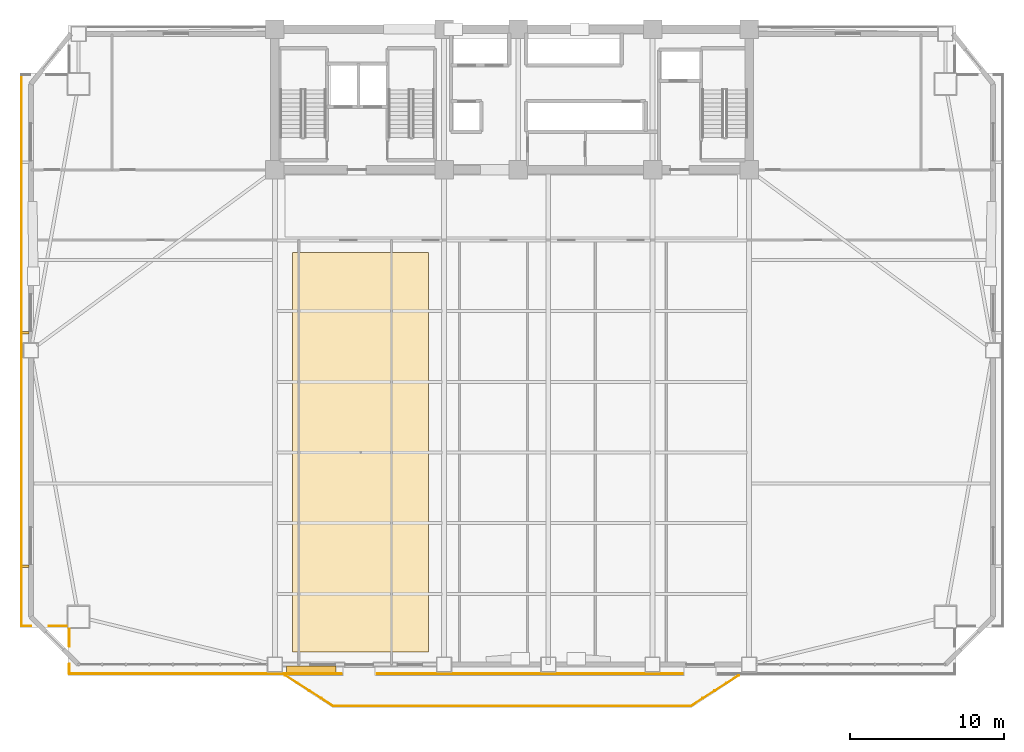
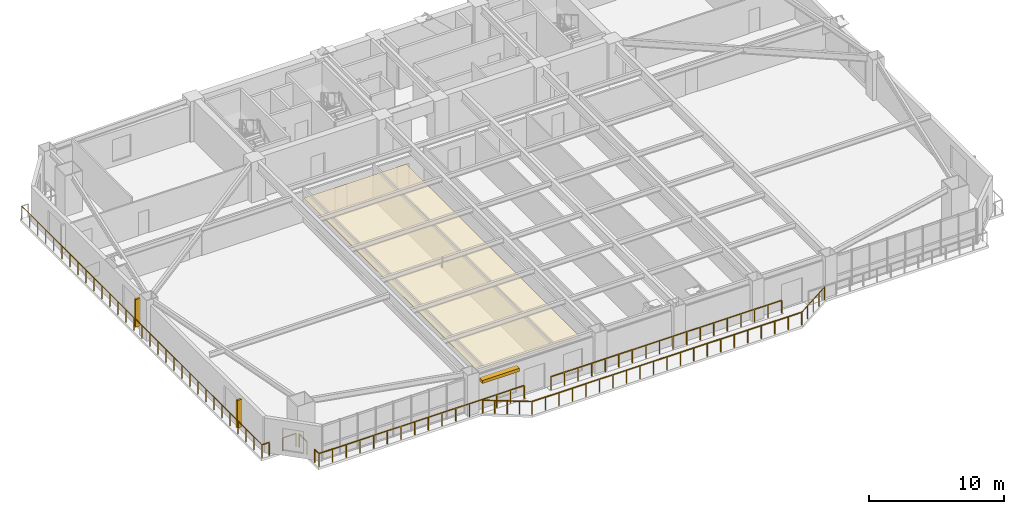
# One storey, part 12 of 16: 10 railings, 3 shading devices, 1 covering.
"""IFC4 building model written with IfcOpenShell, lengths in metres."""

from ifc_helpers import new_model, si_unit, direction, frame, origin, origin_2d, place, context, subcontext, project, spatial, polyline, rectangle, outline, extrude, source, transform, mapped, material, layer, layer_set, type_object, element, save


model = new_model("IFC4")

# Units and contexts
model_context = context("Model", 3, precision=1e-05, world=origin(), true_north=direction((0.0, 1.0)))
body_context = subcontext(model_context, "Body", "Model", "MODEL_VIEW")
ifc_project = project(units=[si_unit("LENGTHUNIT", "METRE"), si_unit("AREAUNIT", "SQUARE_METRE"), si_unit("VOLUMEUNIT", "CUBIC_METRE"), si_unit("PLANEANGLEUNIT", "RADIAN"), si_unit("MASSUNIT", "GRAM", prefix="KILO")], contexts=[model_context])

# Site, building, storey
site_placement = place(None, origin())
site = spatial("IfcSite", under=ifc_project, at=site_placement, CompositionType="ELEMENT")
building_placement = place(site_placement, origin())
building = spatial("IfcBuilding", under=site, at=building_placement, Name="Giltprow Tower", CompositionType="ELEMENT")
storey_placement = place(building_placement, frame((0.0, 0.0, 79.60009765625)))
storey = spatial("IfcBuildingStorey", under=building, at=storey_placement, Name="L19", CompositionType="ELEMENT", Elevation=79.60009765625)

# Covering
ifc_material_1 = material(Name="Acoustic mineral fibre", Category="gypsum")
ifc_layer = layer(ifc_material_1, 0.030029296875, Name="Acoustic mineral fibre")
ifc_layer_set = layer_set([ifc_layer], Name="Acoustic mineral fibre")
covering_type = type_object("IfcCoveringType", Name="COV-CLG-ACOUSTIC", PredefinedType="CEILING", material=ifc_layer_set)
covering_placement = place(storey_placement, frame((0.0, 0.0, 2.719970703125)))
element("IfcCovering", 1, at=covering_placement, inside=storey, type_object=covering_type, Name="L19 Office Acoustic Ceiling", PredefinedType="CEILING", context=body_context, shape_type="SweptSolid", body=[
    extrude(outline(polyline([(21.0, 6.208984375), (29.800048828125, 6.208984375), (29.800048828125, 32.10009765625), (21.0, 32.10009765625), (21.0, 6.208984375)])), origin(), (0.0, 0.0, 1.0), 0.030029296875),
])

# Railings
ifc_material_2 = material(Name="Anodized bronze", Category="metal")
railing_type = type_object("IfcRailingType", Name="RAIL-BALC-GUARD-1200", PredefinedType="BALUSTRADE", material=ifc_material_2)
railing_1_placement = place(storey_placement, frame((20.52001953125, 4.708984375, 0.0)))
element("IfcRailing", 2, at=railing_1_placement, inside=storey, type_object=railing_type, Name="L19 Waterfront Balcony Balustrade Seg 1", PredefinedType="BALUSTRADE", context=body_context, shape_type="SweptSolid", body=[
    extrude(rectangle(XDim=0.048095703125, YDim=0.048095703125, at=origin_2d()), frame((0.0, 0.0, 1.17578125), z_axis=(0.84277487735, -0.538266203757, 0.0), x_axis=(0.538266203757, 0.84277487735, 0.0)), (0.0, 0.0, 1.0), 3.678466796875),
    extrude(rectangle(XDim=0.0419921875, YDim=0.0419921875, at=origin_2d()), origin(), (0.0, 0.0, 1.0), 1.15185546875),
    extrude(rectangle(XDim=0.0419921875, YDim=0.0419921875, at=origin_2d()), frame((0.77490234375, -0.4951171875, 0.0)), (0.0, 0.0, 1.0), 1.15185546875),
    extrude(rectangle(XDim=0.0419921875, YDim=0.0419921875, at=origin_2d()), frame((1.550048828125, -0.989990234375, 0.0)), (0.0, 0.0, 1.0), 1.15185546875),
    extrude(rectangle(XDim=0.0419921875, YDim=0.0419921875, at=origin_2d()), frame((2.3251953125, -1.48486328125, 0.0)), (0.0, 0.0, 1.0), 1.15185546875),
    extrude(rectangle(XDim=0.0419921875, YDim=0.0419921875, at=origin_2d()), frame((3.10009765625, -1.97998046875, 0.0)), (0.0, 0.0, 1.0), 1.15185546875),
])
railing_2_placement = place(storey_placement, frame((23.6201171875, 2.72900390625, 0.0)))
element("IfcRailing", 3, at=railing_2_placement, inside=storey, type_object=railing_type, Name="L19 Waterfront Balcony Balustrade Seg 2", PredefinedType="BALUSTRADE", context=body_context, shape_type="SweptSolid", body=[
    extrude(rectangle(XDim=0.048095703125, YDim=0.048095703125, at=origin_2d()), frame((0.0, 0.0, 1.17578125), z_axis=(1.0, 0.0, 0.0), x_axis=(0.0, 1.0, 0.0)), (0.0, 0.0, 1.0), 23.159912109375),
    extrude(rectangle(XDim=0.0419921875, YDim=0.0419921875, at=origin_2d()), origin(), (0.0, 0.0, 1.0), 1.15185546875),
    extrude(rectangle(XDim=0.0419921875, YDim=0.0419921875, at=origin_2d()), frame((1.157958984375, 0.0, 0.0)), (0.0, 0.0, 1.0), 1.15185546875),
    extrude(rectangle(XDim=0.0419921875, YDim=0.0419921875, at=origin_2d()), frame((2.31591796875, 0.0, 0.0)), (0.0, 0.0, 1.0), 1.15185546875),
    extrude(rectangle(XDim=0.0419921875, YDim=0.0419921875, at=origin_2d()), frame((3.473876953125, 0.0, 0.0)), (0.0, 0.0, 1.0), 1.15185546875),
    extrude(rectangle(XDim=0.0419921875, YDim=0.0419921875, at=origin_2d()), frame((4.632080078125, 0.0, 0.0)), (0.0, 0.0, 1.0), 1.15185546875),
    extrude(rectangle(XDim=0.0419921875, YDim=0.0419921875, at=origin_2d()), frame((5.7900390625, 0.0, 0.0)), (0.0, 0.0, 1.0), 1.15185546875),
    extrude(rectangle(XDim=0.0419921875, YDim=0.0419921875, at=origin_2d()), frame((6.947998046875, 0.0, 0.0)), (0.0, 0.0, 1.0), 1.15185546875),
    extrude(rectangle(XDim=0.0419921875, YDim=0.0419921875, at=origin_2d()), frame((8.10595703125, 0.0, 0.0)), (0.0, 0.0, 1.0), 1.15185546875),
    extrude(rectangle(XDim=0.0419921875, YDim=0.0419921875, at=origin_2d()), frame((9.263916015625, 0.0, 0.0)), (0.0, 0.0, 1.0), 1.15185546875),
    extrude(rectangle(XDim=0.0419921875, YDim=0.0419921875, at=origin_2d()), frame((10.421875, 0.0, 0.0)), (0.0, 0.0, 1.0), 1.15185546875),
    extrude(rectangle(XDim=0.0419921875, YDim=0.0419921875, at=origin_2d()), frame((11.580078125, 0.0, 0.0)), (0.0, 0.0, 1.0), 1.15185546875),
    extrude(rectangle(XDim=0.0419921875, YDim=0.0419921875, at=origin_2d()), frame((12.738037109375, 0.0, 0.0)), (0.0, 0.0, 1.0), 1.15185546875),
    extrude(rectangle(XDim=0.0419921875, YDim=0.0419921875, at=origin_2d()), frame((13.89599609375, 0.0, 0.0)), (0.0, 0.0, 1.0), 1.15185546875),
    extrude(rectangle(XDim=0.0419921875, YDim=0.0419921875, at=origin_2d()), frame((15.053955078125, 0.0, 0.0)), (0.0, 0.0, 1.0), 1.15185546875),
    extrude(rectangle(XDim=0.0419921875, YDim=0.0419921875, at=origin_2d()), frame((16.2119140625, 0.0, 0.0)), (0.0, 0.0, 1.0), 1.15185546875),
    extrude(rectangle(XDim=0.0419921875, YDim=0.0419921875, at=origin_2d()), frame((17.369873046875, 0.0, 0.0)), (0.0, 0.0, 1.0), 1.15185546875),
    extrude(rectangle(XDim=0.0419921875, YDim=0.0419921875, at=origin_2d()), frame((18.52783203125, 0.0, 0.0)), (0.0, 0.0, 1.0), 1.15185546875),
    extrude(rectangle(XDim=0.0419921875, YDim=0.0419921875, at=origin_2d()), frame((19.68603515625, 0.0, 0.0)), (0.0, 0.0, 1.0), 1.15185546875),
    extrude(rectangle(XDim=0.0419921875, YDim=0.0419921875, at=origin_2d()), frame((20.843994140625, 0.0, 0.0)), (0.0, 0.0, 1.0), 1.15185546875),
    extrude(rectangle(XDim=0.0419921875, YDim=0.0419921875, at=origin_2d()), frame((22.001953125, 0.0, 0.0)), (0.0, 0.0, 1.0), 1.15185546875),
    extrude(rectangle(XDim=0.0419921875, YDim=0.0419921875, at=origin_2d()), frame((23.159912109375, 0.0, 0.0)), (0.0, 0.0, 1.0), 1.15185546875),
])
railing_3_placement = place(storey_placement, frame((46.780029296875, 2.72900390625, 0.0)))
element("IfcRailing", 4, at=railing_3_placement, inside=storey, type_object=railing_type, Name="L19 Waterfront Balcony Balustrade Seg 3", PredefinedType="BALUSTRADE", context=body_context, shape_type="SweptSolid", body=[
    extrude(rectangle(XDim=0.048095703125, YDim=0.048095703125, at=origin_2d()), frame((0.0, 0.0, 1.17578125), z_axis=(0.842755646126, 0.538296313309, 0.0), x_axis=(-0.538296313309, 0.842755646126, 0.0)), (0.0, 0.0, 1.0), 3.67822265625),
    extrude(rectangle(XDim=0.0419921875, YDim=0.0419921875, at=origin_2d()), origin(), (0.0, 0.0, 1.0), 1.15185546875),
    extrude(rectangle(XDim=0.0419921875, YDim=0.0419921875, at=origin_2d()), frame((0.77490234375, 0.4951171875, 0.0)), (0.0, 0.0, 1.0), 1.15185546875),
    extrude(rectangle(XDim=0.0419921875, YDim=0.0419921875, at=origin_2d()), frame((1.5498046875, 0.989990234375, 0.0)), (0.0, 0.0, 1.0), 1.15185546875),
    extrude(rectangle(XDim=0.0419921875, YDim=0.0419921875, at=origin_2d()), frame((2.324951171875, 1.48486328125, 0.0)), (0.0, 0.0, 1.0), 1.15185546875),
    extrude(rectangle(XDim=0.0419921875, YDim=0.0419921875, at=origin_2d()), frame((3.099853515625, 1.97998046875, 0.0)), (0.0, 0.0, 1.0), 1.15185546875),
])
railing_4_placement = place(storey_placement, frame((6.535888671875, 4.80908203125, 0.0)))
element("IfcRailing", 5, at=railing_4_placement, inside=storey, type_object=railing_type, Name="L19 Corner Apron Edge Balustrade 1", PredefinedType="BALUSTRADE", context=body_context, shape_type="SweptSolid", body=[
    extrude(rectangle(XDim=0.048095703125, YDim=0.048095703125, at=origin_2d()), frame((0.0, 0.0, 1.17578125), z_axis=(0.0, 1.0, 0.0), x_axis=(-1.0, 0.0, 0.0)), (0.0, 0.0, 1.0), 0.619873046875),
    extrude(rectangle(XDim=0.0419921875, YDim=0.0419921875, at=origin_2d()), origin(), (0.0, 0.0, 1.0), 1.15185546875),
    extrude(rectangle(XDim=0.0419921875, YDim=0.0419921875, at=origin_2d()), frame((0.0, 0.619873046875, 0.0)), (0.0, 0.0, 1.0), 1.15185546875),
])
railing_5_placement = place(storey_placement, frame((6.535888671875, 6.589111328125, 0.0)))
element("IfcRailing", 6, at=railing_5_placement, inside=storey, type_object=railing_type, Name="L19 Corner Apron Edge Balustrade 2", PredefinedType="BALUSTRADE", context=body_context, shape_type="SweptSolid", body=[
    extrude(rectangle(XDim=0.048095703125, YDim=0.048095703125, at=origin_2d()), frame((0.0, 0.0, 1.17578125), z_axis=(0.0, 1.0, 0.0), x_axis=(-1.0, 0.0, 0.0)), (0.0, 0.0, 1.0), 1.130859375),
    extrude(rectangle(XDim=0.0419921875, YDim=0.0419921875, at=origin_2d()), origin(), (0.0, 0.0, 1.0), 1.15185546875),
    extrude(rectangle(XDim=0.0419921875, YDim=0.0419921875, at=origin_2d()), frame((0.0, 1.130859375, 0.0)), (0.0, 0.0, 1.0), 1.15185546875),
])
railing_6_placement = place(storey_placement, frame((6.35107421875, 7.905029296875, 0.0)))
element("IfcRailing", 7, at=railing_6_placement, inside=storey, type_object=railing_type, Name="L19 Corner Apron Edge Balustrade 3", PredefinedType="BALUSTRADE", context=body_context, shape_type="SweptSolid", body=[
    extrude(rectangle(XDim=0.048095703125, YDim=0.048095703125, at=origin_2d()), frame((0.0, 0.0, 1.17578125), z_axis=(-1.0, 0.0, 0.0), x_axis=(0.0, -1.0, 0.0)), (0.0, 0.0, 1.0), 1.131103515625),
    extrude(rectangle(XDim=0.0419921875, YDim=0.0419921875, at=origin_2d()), origin(), (0.0, 0.0, 1.0), 1.15185546875),
    extrude(rectangle(XDim=0.0419921875, YDim=0.0419921875, at=origin_2d()), frame((-1.131103515625, 0.0, 0.0)), (0.0, 0.0, 1.0), 1.15185546875),
])
railing_7_placement = place(storey_placement, frame((4.06005859375, 7.905029296875, 0.0)))
element("IfcRailing", 8, at=railing_7_placement, inside=storey, type_object=railing_type, Name="L19 Corner Apron Edge Balustrade 4", PredefinedType="BALUSTRADE", context=body_context, shape_type="SweptSolid", body=[
    extrude(rectangle(XDim=0.048095703125, YDim=0.048095703125, at=origin_2d()), frame((0.0, 0.0, 1.17578125), z_axis=(-1.0, 0.0, 0.0), x_axis=(0.0, -1.0, 0.0)), (0.0, 0.0, 1.0), 0.6201171875),
    extrude(rectangle(XDim=0.0419921875, YDim=0.0419921875, at=origin_2d()), origin(), (0.0, 0.0, 1.0), 1.15185546875),
    extrude(rectangle(XDim=0.0419921875, YDim=0.0419921875, at=origin_2d()), frame((-0.6201171875, 0.0, 0.0)), (0.0, 0.0, 1.0), 1.15185546875),
])
railing_8_placement = place(storey_placement, frame((3.43994140625, 7.905029296875, 0.0)))
element("IfcRailing", 9, at=railing_8_placement, inside=storey, type_object=railing_type, Name="L19 Corner Apron Edge Balustrade 5", PredefinedType="BALUSTRADE", context=body_context, shape_type="SweptSolid", body=[
    extrude(rectangle(XDim=0.048095703125, YDim=0.048095703125, at=origin_2d()), frame((0.0, 0.0, 1.17578125), z_axis=(0.0, 1.0, 0.0), x_axis=(-1.0, 0.0, 0.0)), (0.0, 0.0, 1.0), 35.698974609375),
    extrude(rectangle(XDim=0.0419921875, YDim=0.0419921875, at=origin_2d()), origin(), (0.0, 0.0, 1.0), 1.15185546875),
    extrude(rectangle(XDim=0.0419921875, YDim=0.0419921875, at=origin_2d()), frame((0.0, 1.18994140625, 0.0)), (0.0, 0.0, 1.0), 1.15185546875),
    extrude(rectangle(XDim=0.0419921875, YDim=0.0419921875, at=origin_2d()), frame((0.0, 2.3798828125, 0.0)), (0.0, 0.0, 1.0), 1.15185546875),
    extrude(rectangle(XDim=0.0419921875, YDim=0.0419921875, at=origin_2d()), frame((0.0, 3.56982421875, 0.0)), (0.0, 0.0, 1.0), 1.15185546875),
    extrude(rectangle(XDim=0.0419921875, YDim=0.0419921875, at=origin_2d()), frame((0.0, 4.759765625, 0.0)), (0.0, 0.0, 1.0), 1.15185546875),
    extrude(rectangle(XDim=0.0419921875, YDim=0.0419921875, at=origin_2d()), frame((0.0, 5.94970703125, 0.0)), (0.0, 0.0, 1.0), 1.15185546875),
    extrude(rectangle(XDim=0.0419921875, YDim=0.0419921875, at=origin_2d()), frame((0.0, 7.139892578125, 0.0)), (0.0, 0.0, 1.0), 1.15185546875),
    extrude(rectangle(XDim=0.0419921875, YDim=0.0419921875, at=origin_2d()), frame((0.0, 8.329833984375, 0.0)), (0.0, 0.0, 1.0), 1.15185546875),
    extrude(rectangle(XDim=0.0419921875, YDim=0.0419921875, at=origin_2d()), frame((0.0, 9.519775390625, 0.0)), (0.0, 0.0, 1.0), 1.15185546875),
    extrude(rectangle(XDim=0.0419921875, YDim=0.0419921875, at=origin_2d()), frame((0.0, 10.709716796875, 0.0)), (0.0, 0.0, 1.0), 1.15185546875),
    extrude(rectangle(XDim=0.0419921875, YDim=0.0419921875, at=origin_2d()), frame((0.0, 11.899658203125, 0.0)), (0.0, 0.0, 1.0), 1.15185546875),
    extrude(rectangle(XDim=0.0419921875, YDim=0.0419921875, at=origin_2d()), frame((0.0, 13.089599609375, 0.0)), (0.0, 0.0, 1.0), 1.15185546875),
    extrude(rectangle(XDim=0.0419921875, YDim=0.0419921875, at=origin_2d()), frame((0.0, 14.279541015625, 0.0)), (0.0, 0.0, 1.0), 1.15185546875),
    extrude(rectangle(XDim=0.0419921875, YDim=0.0419921875, at=origin_2d()), frame((0.0, 15.469482421875, 0.0)), (0.0, 0.0, 1.0), 1.15185546875),
    extrude(rectangle(XDim=0.0419921875, YDim=0.0419921875, at=origin_2d()), frame((0.0, 16.659423828125, 0.0)), (0.0, 0.0, 1.0), 1.15185546875),
    extrude(rectangle(XDim=0.0419921875, YDim=0.0419921875, at=origin_2d()), frame((0.0, 17.849609375, 0.0)), (0.0, 0.0, 1.0), 1.15185546875),
    extrude(rectangle(XDim=0.0419921875, YDim=0.0419921875, at=origin_2d()), frame((0.0, 19.03955078125, 0.0)), (0.0, 0.0, 1.0), 1.15185546875),
    extrude(rectangle(XDim=0.0419921875, YDim=0.0419921875, at=origin_2d()), frame((0.0, 20.2294921875, 0.0)), (0.0, 0.0, 1.0), 1.15185546875),
    extrude(rectangle(XDim=0.0419921875, YDim=0.0419921875, at=origin_2d()), frame((0.0, 21.41943359375, 0.0)), (0.0, 0.0, 1.0), 1.15185546875),
    extrude(rectangle(XDim=0.0419921875, YDim=0.0419921875, at=origin_2d()), frame((0.0, 22.609375, 0.0)), (0.0, 0.0, 1.0), 1.15185546875),
    extrude(rectangle(XDim=0.0419921875, YDim=0.0419921875, at=origin_2d()), frame((0.0, 23.79931640625, 0.0)), (0.0, 0.0, 1.0), 1.15185546875),
    extrude(rectangle(XDim=0.0419921875, YDim=0.0419921875, at=origin_2d()), frame((0.0, 24.9892578125, 0.0)), (0.0, 0.0, 1.0), 1.15185546875),
    extrude(rectangle(XDim=0.0419921875, YDim=0.0419921875, at=origin_2d()), frame((0.0, 26.17919921875, 0.0)), (0.0, 0.0, 1.0), 1.15185546875),
    extrude(rectangle(XDim=0.0419921875, YDim=0.0419921875, at=origin_2d()), frame((0.0, 27.369140625, 0.0)), (0.0, 0.0, 1.0), 1.15185546875),
    extrude(rectangle(XDim=0.0419921875, YDim=0.0419921875, at=origin_2d()), frame((0.0, 28.55908203125, 0.0)), (0.0, 0.0, 1.0), 1.15185546875),
    extrude(rectangle(XDim=0.0419921875, YDim=0.0419921875, at=origin_2d()), frame((0.0, 29.7490234375, 0.0)), (0.0, 0.0, 1.0), 1.15185546875),
    extrude(rectangle(XDim=0.0419921875, YDim=0.0419921875, at=origin_2d()), frame((0.0, 30.939208984375, 0.0)), (0.0, 0.0, 1.0), 1.15185546875),
    extrude(rectangle(XDim=0.0419921875, YDim=0.0419921875, at=origin_2d()), frame((0.0, 32.129150390625, 0.0)), (0.0, 0.0, 1.0), 1.15185546875),
    extrude(rectangle(XDim=0.0419921875, YDim=0.0419921875, at=origin_2d()), frame((0.0, 33.319091796875, 0.0)), (0.0, 0.0, 1.0), 1.15185546875),
    extrude(rectangle(XDim=0.0419921875, YDim=0.0419921875, at=origin_2d()), frame((0.0, 34.509033203125, 0.0)), (0.0, 0.0, 1.0), 1.15185546875),
    extrude(rectangle(XDim=0.0419921875, YDim=0.0419921875, at=origin_2d()), frame((0.0, 35.698974609375, 0.0)), (0.0, 0.0, 1.0), 1.15185546875),
])
railing_9_placement = place(storey_placement, frame((46.25, 4.80908203125, 0.0)))
element("IfcRailing", 10, at=railing_9_placement, inside=storey, type_object=railing_type, Name="L19 Corner Apron Edge Balustrade 20", PredefinedType="BALUSTRADE", context=body_context, shape_type="SweptSolid", body=[
    extrude(rectangle(XDim=0.048095703125, YDim=0.048095703125, at=origin_2d()), frame((0.0, 0.0, 1.17578125), z_axis=(-1.0, 0.0, 0.0), x_axis=(0.0, -1.0, 0.0)), (0.0, 0.0, 1.0), 19.800048828125),
    extrude(rectangle(XDim=0.0419921875, YDim=0.0419921875, at=origin_2d()), origin(), (0.0, 0.0, 1.0), 1.15185546875),
    extrude(rectangle(XDim=0.0419921875, YDim=0.0419921875, at=origin_2d()), frame((-1.164794921875, 0.0, 0.0)), (0.0, 0.0, 1.0), 1.15185546875),
    extrude(rectangle(XDim=0.0419921875, YDim=0.0419921875, at=origin_2d()), frame((-2.329345703125, 0.0, 0.0)), (0.0, 0.0, 1.0), 1.15185546875),
    extrude(rectangle(XDim=0.0419921875, YDim=0.0419921875, at=origin_2d()), frame((-3.494140625, 0.0, 0.0)), (0.0, 0.0, 1.0), 1.15185546875),
    extrude(rectangle(XDim=0.0419921875, YDim=0.0419921875, at=origin_2d()), frame((-4.658935546875, 0.0, 0.0)), (0.0, 0.0, 1.0), 1.15185546875),
    extrude(rectangle(XDim=0.0419921875, YDim=0.0419921875, at=origin_2d()), frame((-5.823486328125, 0.0, 0.0)), (0.0, 0.0, 1.0), 1.15185546875),
    extrude(rectangle(XDim=0.0419921875, YDim=0.0419921875, at=origin_2d()), frame((-6.98828125, 0.0, 0.0)), (0.0, 0.0, 1.0), 1.15185546875),
    extrude(rectangle(XDim=0.0419921875, YDim=0.0419921875, at=origin_2d()), frame((-8.153076171875, 0.0, 0.0)), (0.0, 0.0, 1.0), 1.15185546875),
    extrude(rectangle(XDim=0.0419921875, YDim=0.0419921875, at=origin_2d()), frame((-9.317626953125, 0.0, 0.0)), (0.0, 0.0, 1.0), 1.15185546875),
    extrude(rectangle(XDim=0.0419921875, YDim=0.0419921875, at=origin_2d()), frame((-10.482421875, 0.0, 0.0)), (0.0, 0.0, 1.0), 1.15185546875),
    extrude(rectangle(XDim=0.0419921875, YDim=0.0419921875, at=origin_2d()), frame((-11.64697265625, 0.0, 0.0)), (0.0, 0.0, 1.0), 1.15185546875),
    extrude(rectangle(XDim=0.0419921875, YDim=0.0419921875, at=origin_2d()), frame((-12.811767578125, 0.0, 0.0)), (0.0, 0.0, 1.0), 1.15185546875),
    extrude(rectangle(XDim=0.0419921875, YDim=0.0419921875, at=origin_2d()), frame((-13.9765625, 0.0, 0.0)), (0.0, 0.0, 1.0), 1.15185546875),
    extrude(rectangle(XDim=0.0419921875, YDim=0.0419921875, at=origin_2d()), frame((-15.14111328125, 0.0, 0.0)), (0.0, 0.0, 1.0), 1.15185546875),
    extrude(rectangle(XDim=0.0419921875, YDim=0.0419921875, at=origin_2d()), frame((-16.305908203125, 0.0, 0.0)), (0.0, 0.0, 1.0), 1.15185546875),
    extrude(rectangle(XDim=0.0419921875, YDim=0.0419921875, at=origin_2d()), frame((-17.470703125, 0.0, 0.0)), (0.0, 0.0, 1.0), 1.15185546875),
    extrude(rectangle(XDim=0.0419921875, YDim=0.0419921875, at=origin_2d()), frame((-18.63525390625, 0.0, 0.0)), (0.0, 0.0, 1.0), 1.15185546875),
    extrude(rectangle(XDim=0.0419921875, YDim=0.0419921875, at=origin_2d()), frame((-19.800048828125, 0.0, 0.0)), (0.0, 0.0, 1.0), 1.15185546875),
])
railing_10_placement = place(storey_placement, frame((24.14990234375, 4.80908203125, 0.0)))
element("IfcRailing", 11, at=railing_10_placement, inside=storey, type_object=railing_type, Name="L19 Corner Apron Edge Balustrade 21", PredefinedType="BALUSTRADE", context=body_context, shape_type="SweptSolid", body=[
    extrude(rectangle(XDim=0.048095703125, YDim=0.048095703125, at=origin_2d()), frame((0.0, 0.0, 1.17578125), z_axis=(-1.0, 0.0, 0.0), x_axis=(0.0, -1.0, 0.0)), (0.0, 0.0, 1.0), 17.614013671875),
    extrude(rectangle(XDim=0.0419921875, YDim=0.0419921875, at=origin_2d()), origin(), (0.0, 0.0, 1.0), 1.15185546875),
    extrude(rectangle(XDim=0.0419921875, YDim=0.0419921875, at=origin_2d()), frame((-1.17431640625, 0.0, 0.0)), (0.0, 0.0, 1.0), 1.15185546875),
    extrude(rectangle(XDim=0.0419921875, YDim=0.0419921875, at=origin_2d()), frame((-2.3486328125, 0.0, 0.0)), (0.0, 0.0, 1.0), 1.15185546875),
    extrude(rectangle(XDim=0.0419921875, YDim=0.0419921875, at=origin_2d()), frame((-3.522705078125, 0.0, 0.0)), (0.0, 0.0, 1.0), 1.15185546875),
    extrude(rectangle(XDim=0.0419921875, YDim=0.0419921875, at=origin_2d()), frame((-4.697021484375, 0.0, 0.0)), (0.0, 0.0, 1.0), 1.15185546875),
    extrude(rectangle(XDim=0.0419921875, YDim=0.0419921875, at=origin_2d()), frame((-5.871337890625, 0.0, 0.0)), (0.0, 0.0, 1.0), 1.15185546875),
    extrude(rectangle(XDim=0.0419921875, YDim=0.0419921875, at=origin_2d()), frame((-7.045654296875, 0.0, 0.0)), (0.0, 0.0, 1.0), 1.15185546875),
    extrude(rectangle(XDim=0.0419921875, YDim=0.0419921875, at=origin_2d()), frame((-8.219970703125, 0.0, 0.0)), (0.0, 0.0, 1.0), 1.15185546875),
    extrude(rectangle(XDim=0.0419921875, YDim=0.0419921875, at=origin_2d()), frame((-9.39404296875, 0.0, 0.0)), (0.0, 0.0, 1.0), 1.15185546875),
    extrude(rectangle(XDim=0.0419921875, YDim=0.0419921875, at=origin_2d()), frame((-10.568359375, 0.0, 0.0)), (0.0, 0.0, 1.0), 1.15185546875),
    extrude(rectangle(XDim=0.0419921875, YDim=0.0419921875, at=origin_2d()), frame((-11.74267578125, 0.0, 0.0)), (0.0, 0.0, 1.0), 1.15185546875),
    extrude(rectangle(XDim=0.0419921875, YDim=0.0419921875, at=origin_2d()), frame((-12.9169921875, 0.0, 0.0)), (0.0, 0.0, 1.0), 1.15185546875),
    extrude(rectangle(XDim=0.0419921875, YDim=0.0419921875, at=origin_2d()), frame((-14.09130859375, 0.0, 0.0)), (0.0, 0.0, 1.0), 1.15185546875),
    extrude(rectangle(XDim=0.0419921875, YDim=0.0419921875, at=origin_2d()), frame((-15.265380859375, 0.0, 0.0)), (0.0, 0.0, 1.0), 1.15185546875),
    extrude(rectangle(XDim=0.0419921875, YDim=0.0419921875, at=origin_2d()), frame((-16.439697265625, 0.0, 0.0)), (0.0, 0.0, 1.0), 1.15185546875),
    extrude(rectangle(XDim=0.0419921875, YDim=0.0419921875, at=origin_2d()), frame((-17.614013671875, 0.0, 0.0)), (0.0, 0.0, 1.0), 1.15185546875),
])

# Shading devices
shading_device_type_1 = type_object("IfcShadingDeviceType", Name="SHD-FIN-420", PredefinedType="USERDEFINED", material=ifc_material_2)
shared_shape_1 = source(origin(), body_context, "Body", "SweptSolid", [
    extrude(rectangle(XDim=0.419921875, YDim=0.159912109375, at=origin_2d()), origin(), (0.0, 0.0, 1.0), 2.5),
])
for number, where, z_axis, x_axis, name in (
    (12, (3.719970703125, 11.780029296875, 0.349853515625), (0.0, 0.0, 1.0), (1.0, 0.0, 0.0), "L19 W Bronze Vertical Fin 1-1"),
    (13, (3.719970703125, 26.885009765625, 0.349853515625), (0.0, 0.0, 1.0), (1.0, 0.0, 0.0), "L19 W Bronze Vertical Fin 2-1"),
):
    element("IfcShadingDevice", number, at=place(storey_placement, frame(where, z_axis=z_axis, x_axis=x_axis)), inside=storey, type_object=shading_device_type_1, Name=name, ObjectType="FIN", PredefinedType="USERDEFINED", context=body_context, shape_type="MappedRepresentation", body=[
        mapped(shared_shape_1, transform((0.0, 0.0, 0.0), x_axis=(1.0, 0.0, 0.0), y_axis=(0.0, 1.0, 0.0), z_axis=(0.0, 0.0, 1.0), scale=1.0)),
    ])
shading_device_type_2 = type_object("IfcShadingDeviceType", Name="SHD-LOUVRE-320", PredefinedType="JALOUSIE", material=ifc_material_2)
shared_shape_2 = source(origin(), body_context, "Body", "SweptSolid", [
    extrude(rectangle(XDim=3.199951171875, YDim=0.449951171875, at=origin_2d()), origin(), (0.0, 0.0, 1.0), 0.280029296875),
])
shading_device_placement = place(storey_placement, frame((22.199951171875, 5.089111328125, 2.56005859375), z_axis=(0.0, 0.0, 1.0), x_axis=(1.0, 0.0, 0.0)))
element("IfcShadingDevice", 14, at=shading_device_placement, inside=storey, type_object=shading_device_type_2, Name="L19 Bronze Sunshade Louvre S-2", PredefinedType="JALOUSIE", context=body_context, shape_type="MappedRepresentation", body=[
    mapped(shared_shape_2, transform((0.0, 0.0, 0.0), x_axis=(1.0, 0.0, 0.0), y_axis=(0.0, 1.0, 0.0), z_axis=(0.0, 0.0, 1.0), scale=1.0)),
])

save(model, "model.ifc")
